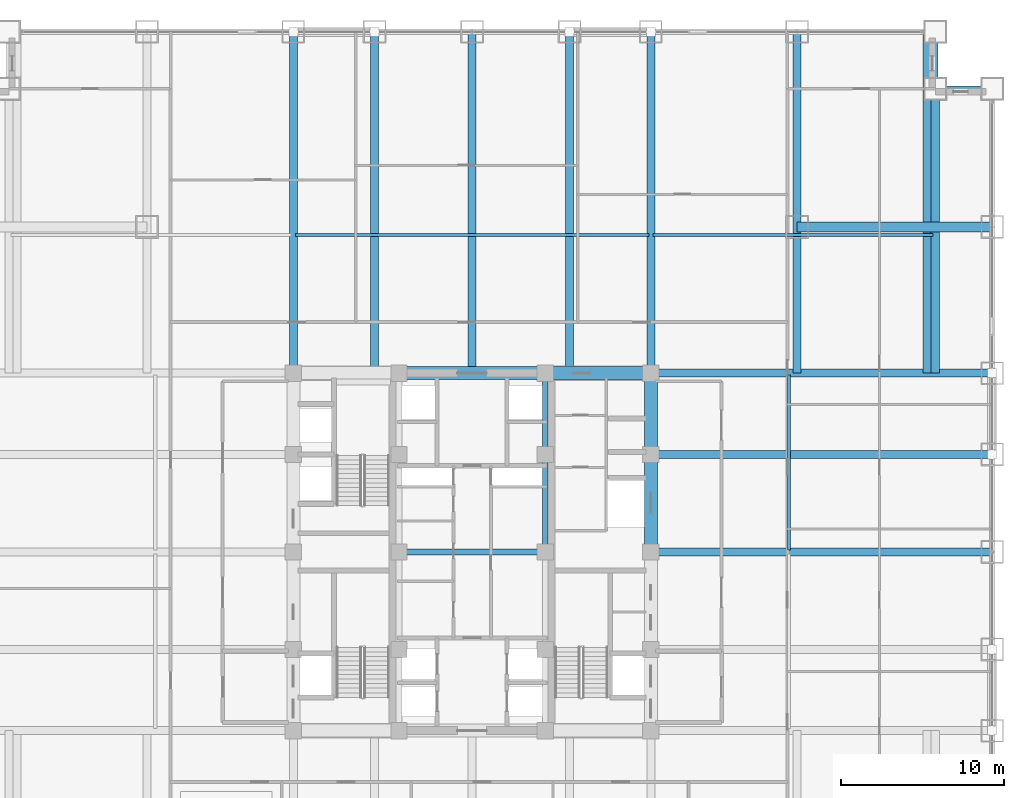
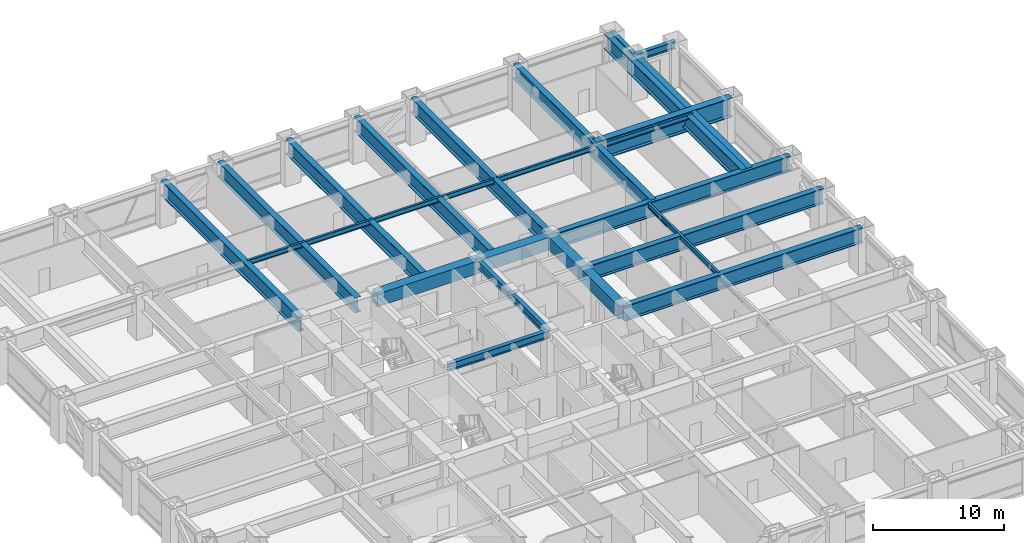
# One storey, part 11 of 29: 24 beams.
"""IFC4 building model written with IfcOpenShell, lengths in metres."""

import ifcopenshell
import ifcopenshell.guid

model = None  # the IFC model being written
_history = None  # IfcOwnerHistory: only IFC2X3 demands one
_inside = {}  # id of a spatial element -> (the spatial element, [elements in it])
_under = {}  # id of a project, library or spatial element -> (it, [spatial elements below it])
_declared = {}  # id of a project -> (the project, [libraries it declares])
_typed = {}  # id of a type object -> (the type object, [elements of that type])
_made_of = {}  # id of a material, layer set ... -> (it, [elements and type objects made of it])


def new_model(schema):
    """Start an empty IFC model of exactly this schema.

    Asked for "IFC4X3", IfcOpenShell would pick the latest addendum, in which some entities
    have other attributes; the version numbers below select the first issue.
    IFC2X3 requires an IfcOwnerHistory on every rooted entity: one is made here for all.
    """
    global model, _history
    if schema == "IFC4X3":
        model = ifcopenshell.file(schema_version=(4, 3, 0, 0))
    else:
        model = ifcopenshell.file(schema=schema)
    _inside.clear()
    _under.clear()
    _declared.clear()
    _typed.clear()
    _made_of.clear()
    _history = None
    if model.schema == "IFC2X3":
        org = make("IfcOrganization", Name="unknown")
        user = make(
            "IfcPersonAndOrganization",
            ThePerson=make("IfcPerson", FamilyName="unknown"),
            TheOrganization=org,
        )
        app = make(
            "IfcApplication",
            ApplicationDeveloper=org,
            Version="unknown",
            ApplicationFullName="unknown",
            ApplicationIdentifier="unknown",
        )
        _history = make(
            "IfcOwnerHistory",
            OwningUser=user,
            OwningApplication=app,
            ChangeAction="ADDED",
            CreationDate=0,
        )
    return model


def make(cls, **values):
    """One entity of the class cls with the attributes given. An attribute that is None is left unset."""
    return model.create_entity(
        cls, **{name: value for name, value in values.items() if value is not None}
    )


def rooted(cls, **values):
    """An entity with a GlobalId (a new one), such as an element, a storey or a relation."""
    return make(cls, GlobalId=ifcopenshell.guid.new(), OwnerHistory=_history, **values)


def si_unit(unit_type, name, prefix=None):
    """IfcSIUnit, for example si_unit("LENGTHUNIT", "METRE", prefix="MILLI")."""
    return make("IfcSIUnit", UnitType=unit_type, Prefix=prefix, Name=name)


def assignment(units):
    """IfcUnitAssignment: the units of a project."""
    return None if units is None else make("IfcUnitAssignment", Units=units)


def point(xyz):
    """IfcCartesianPoint."""
    return None if xyz is None else make("IfcCartesianPoint", Coordinates=xyz)


def direction(xyz):
    """IfcDirection."""
    return None if xyz is None else make("IfcDirection", DirectionRatios=xyz)


def frame(location, z_axis=None, x_axis=None):
    """IfcAxis2Placement3D, a coordinate frame: its origin and axes. An axis left out is left unset."""
    return make(
        "IfcAxis2Placement3D",
        Location=point(location),
        Axis=direction(z_axis),
        RefDirection=direction(x_axis),
    )


def frame_2d(location, x_axis=None):
    """IfcAxis2Placement2D, a coordinate frame in the plane: its origin and x axis."""
    return make(
        "IfcAxis2Placement2D", Location=point(location), RefDirection=direction(x_axis)
    )


def origin():
    """The frame at (0, 0, 0) with its axes left unset."""
    return frame((0.0, 0.0, 0.0))


def origin_2d():
    """The frame at (0, 0) in the plane with its x axis left unset."""
    return frame_2d((0.0, 0.0))


def place(relative_to, where):
    """IfcLocalPlacement: puts the frame where relative to a parent placement (None: the world)."""
    return make(
        "IfcLocalPlacement", PlacementRelTo=relative_to, RelativePlacement=where
    )


def context(
    kind, dimensions, precision=None, world=None, true_north=None, identifier=None
):
    """IfcGeometricRepresentationContext, for example the 3D "Model" context."""
    return make(
        "IfcGeometricRepresentationContext",
        ContextIdentifier=identifier,
        ContextType=kind,
        CoordinateSpaceDimension=dimensions,
        Precision=precision,
        WorldCoordinateSystem=world,
        TrueNorth=true_north,
    )


def subcontext(parent, identifier, kind, view, scale=None):
    """IfcGeometricRepresentationSubContext, for example "Body" below "Model"."""
    return make(
        "IfcGeometricRepresentationSubContext",
        ContextIdentifier=identifier,
        ContextType=kind,
        ParentContext=parent,
        TargetScale=scale,
        TargetView=view,
    )


def project(units=None, contexts=None):
    """IfcProject with its units and contexts."""
    return rooted(
        "IfcProject",
        Name="project",
        RepresentationContexts=contexts,
        UnitsInContext=assignment(units),
    )


def spatial(cls, under=None, at=None, **own):
    """A site, building, storey or space (cls), placed at a placement, below another one or the project."""
    s = rooted(cls, ObjectPlacement=at, **own)
    if under is not None:
        _under.setdefault(under.id(), (under, []))[1].append(s)
    return s


def profile(cls, at=None, kind="AREA", **sizes):
    """A parametric profile (cls). Its sizes go by their IFC names, for example OverallWidth=200.0."""
    return make(cls, ProfileType=kind, Position=at, **sizes)


def rectangle(**sizes):
    """IfcRectangleProfileDef."""
    return profile("IfcRectangleProfileDef", **sizes)


def i_section(**sizes):
    """IfcIShapeProfileDef."""
    return profile("IfcIShapeProfileDef", **sizes)


def extrude(swept, where, along, depth):
    """IfcExtrudedAreaSolid: the profile swept, set in the frame where, extruded along a direction by depth."""
    return make(
        "IfcExtrudedAreaSolid",
        SweptArea=swept,
        Position=where,
        ExtrudedDirection=direction(along),
        Depth=depth,
    )


def shape(context_of_items, identifier, shape_type, items):
    """IfcShapeRepresentation: the items that make up one representation, for example the "Body"."""
    return make(
        "IfcShapeRepresentation",
        ContextOfItems=context_of_items,
        RepresentationIdentifier=identifier,
        RepresentationType=shape_type,
        Items=items,
    )


def source(mapping_origin, context_of_items, identifier, shape_type, items):
    """IfcRepresentationMap: a shape defined once, which mapped items show again and again."""
    return make(
        "IfcRepresentationMap",
        MappingOrigin=mapping_origin,
        MappedRepresentation=shape(context_of_items, identifier, shape_type, items),
    )


def transform(
    local_origin,
    x_axis=None,
    y_axis=None,
    z_axis=None,
    scale=None,
    scale2=None,
    scale3=None,
    uniform=True,
):
    """IfcCartesianTransformationOperator3D, or its non-uniform kind. x_axis, y_axis, z_axis: its Axis1, 2, 3."""
    if uniform:
        return make(
            "IfcCartesianTransformationOperator3D",
            Axis1=direction(x_axis),
            Axis2=direction(y_axis),
            LocalOrigin=point(local_origin),
            Scale=scale,
            Axis3=direction(z_axis),
        )
    return make(
        "IfcCartesianTransformationOperator3DnonUniform",
        Axis1=direction(x_axis),
        Axis2=direction(y_axis),
        LocalOrigin=point(local_origin),
        Scale=scale,
        Axis3=direction(z_axis),
        Scale2=scale2,
        Scale3=scale3,
    )


def mapped(mapping_source, mapping_target):
    """IfcMappedItem: shows the shape of a source again, moved by a transform."""
    return make(
        "IfcMappedItem", MappingSource=mapping_source, MappingTarget=mapping_target
    )


def material(Name=None, Category=None):
    """IfcMaterial."""
    return make("IfcMaterial", Name=Name, Category=Category)


def material_profile(
    of_material, cross_section, Name=None, Category=None, Priority=None
):
    """IfcMaterialProfile: a cross section and its material."""
    return make(
        "IfcMaterialProfile",
        Name=Name,
        Material=of_material,
        Profile=cross_section,
        Priority=Priority,
        Category=Category,
    )


def profile_set(profiles, Name=None, composite=None):
    """IfcMaterialProfileSet."""
    return make(
        "IfcMaterialProfileSet",
        Name=Name,
        MaterialProfiles=profiles,
        CompositeProfile=composite,
    )


def made_of(thing, what):
    """Note that an element or type object is made of a material, layer set ...; save() writes the relation."""
    if what is not None:
        _made_of.setdefault(what.id(), (what, []))[1].append(thing)
    return thing


def type_object(cls, material=None, **own):
    """A type object (cls), such as IfcWallType, which elements share."""
    return made_of(rooted(cls, **own), material)


def element(
    cls,
    number,
    at=None,
    inside=None,
    cuts=None,
    type_object=None,
    material=None,
    context=None,
    identifier="Body",
    shape_type=None,
    held_by="IfcProductDefinitionShape",
    body=None,
    shapes=None,
    **own,
):
    """One element of the class cls, such as IfcWall. Its Tag is "e" and its number.

    at: its placement. inside: the storey or other place that contains it. cuts: it is an
    opening in that element (IfcRelVoidsElement). A single representation is given by context,
    identifier, shape_type and body (its items); several are given by shapes. held_by: the class
    of the entity that holds the representations. save() writes the other relations.
    """
    e = rooted(cls, Tag="e%d" % number, ObjectPlacement=at, **own)
    if body is not None:
        shapes = [shape(context, identifier, shape_type, body)]
    if shapes is not None:
        e.Representation = make(held_by, Representations=shapes)
    if inside is not None:
        _inside.setdefault(inside.id(), (inside, []))[1].append(e)
    if cuts is not None:
        rooted(
            "IfcRelVoidsElement", RelatingBuildingElement=cuts, RelatedOpeningElement=e
        )
    if type_object is not None:
        _typed.setdefault(type_object.id(), (type_object, []))[1].append(e)
    return made_of(e, material)


def aggregate(whole, parts):
    """IfcRelAggregates: a whole, such as a stair, and the parts it consists of."""
    return rooted("IfcRelAggregates", RelatingObject=whole, RelatedObjects=parts)


def save(model, path):
    """Write the relations noted so far, then the file.

    IfcRelAggregates (storeys below a building ...), IfcRelContainedInSpatialStructure (elements
    in a storey), IfcRelDefinesByType, IfcRelAssociatesMaterial and IfcRelDeclares: one each for
    every whole, place, type object, material and project.
    """
    for whole, parts in _under.values():
        aggregate(whole, parts)
    for where, things in _inside.values():
        rooted(
            "IfcRelContainedInSpatialStructure",
            RelatedElements=things,
            RelatingStructure=where,
        )
    for kind, things in _typed.values():
        rooted("IfcRelDefinesByType", RelatedObjects=things, RelatingType=kind)
    for what, things in _made_of.values():
        rooted("IfcRelAssociatesMaterial", RelatedObjects=things, RelatingMaterial=what)
    for by, libraries in _declared.values():
        rooted("IfcRelDeclares", RelatingContext=by, RelatedDefinitions=libraries)
    model.write(path)


model = new_model("IFC4")

# Units and contexts
model_context = context("Model", 3, precision=1e-05, world=origin(), true_north=direction((0.0, 1.0)))
body_context = subcontext(model_context, "Body", "Model", "MODEL_VIEW")
ifc_project = project(units=[si_unit("LENGTHUNIT", "METRE"), si_unit("AREAUNIT", "SQUARE_METRE"), si_unit("VOLUMEUNIT", "CUBIC_METRE"), si_unit("PLANEANGLEUNIT", "RADIAN"), si_unit("MASSUNIT", "GRAM", prefix="KILO")], contexts=[model_context])

# Site, building, storey
site_placement = place(None, origin())
site = spatial("IfcSite", under=ifc_project, at=site_placement, CompositionType="ELEMENT")
building_placement = place(site_placement, origin())
building = spatial("IfcBuilding", under=site, at=building_placement, Name="Khorayat Bourse Tower", CompositionType="ELEMENT")
storey_placement = place(building_placement, frame((0.0, 0.0, 87.199951171875)))
storey = spatial("IfcBuildingStorey", under=building, at=storey_placement, Name="L19", CompositionType="ELEMENT", Elevation=87.199951171875)

# Beams
ifc_material_1 = material(Name="Concrete C72/90", Category="concrete")
ifc_material_profile_1 = material_profile(ifc_material_1, rectangle(XDim=0.800048828125, YDim=1.199951171875, at=origin_2d()), Name="RC 800x1200")
ifc_profile_set_1 = profile_set([ifc_material_profile_1], Name="Concrete C72/90")
beam_type_1 = type_object("IfcBeamType", Name="BM-COUP-1200", PredefinedType="BEAM", material=ifc_profile_set_1)
shared_shape_1 = source(origin(), body_context, "Body", "SweptSolid", [
    extrude(rectangle(XDim=0.800048828125, YDim=1.199951171875, at=origin_2d()), origin(), (0.0, 0.0, 1.0), 5.0),
])
beam_1_placement = place(storey_placement, frame((11.0, 6.0, 3.340087890625), z_axis=(0.0, 1.0, 0.0), x_axis=(-1.0, 0.0, 0.0)))
element("IfcBeam", 1, at=beam_1_placement, inside=storey, type_object=beam_type_1, Name="L19 BM-COUP-1200 BM-L19-CRX-16", PredefinedType="BEAM", context=body_context, shape_type="MappedRepresentation", body=[
    mapped(shared_shape_1, transform((0.0, 0.0, 0.0), scale=1.0)),
])
shared_shape_2 = source(origin(), body_context, "Body", "SweptSolid", [
    extrude(rectangle(XDim=0.800048828125, YDim=1.199951171875, at=origin_2d()), origin(), (0.0, 0.0, 1.0), 6.0),
])
beam_2_placement = place(storey_placement, frame((11.0, 0.0, 3.340087890625), z_axis=(0.0, 1.0, 0.0), x_axis=(-1.0, 0.0, 0.0)))
element("IfcBeam", 2, at=beam_2_placement, inside=storey, type_object=beam_type_1, Name="L19 BM-COUP-1200 BM-L19-CRX-15", PredefinedType="BEAM", context=body_context, shape_type="MappedRepresentation", body=[
    mapped(shared_shape_2, transform((0.0, 0.0, 0.0), scale=1.0)),
])
ifc_material_2 = material(Name="Steel ASTM A992 Grade 50", Category="steel")
ifc_material_profile_2 = material_profile(ifc_material_2, i_section(OverallWidth=0.35498046875, OverallDepth=0.695068359375, WebThickness=0.015380859375, FlangeThickness=0.02490234375, FilletRadius=0.01806640625, at=origin_2d()), Name="W690X217")
ifc_profile_set_2 = profile_set([ifc_material_profile_2], Name="Steel ASTM A992 Grade 50")
beam_type_2 = type_object("IfcBeamType", Name="BM-GIRD-690", PredefinedType="BEAM", material=ifc_profile_set_2)
shared_shape_3 = source(origin(), body_context, "Body", "SweptSolid", [
    extrude(i_section(OverallWidth=0.35498046875, OverallDepth=0.695068359375, WebThickness=0.015380859375, FlangeThickness=0.02490234375, FilletRadius=0.01806640625, at=origin_2d()), origin(), (0.0, 0.0, 1.0), 5.0),
])
beam_3_placement = place(storey_placement, frame((4.5, 6.0, 3.592529296875), z_axis=(0.0, 1.0, 0.0), x_axis=(-1.0, 0.0, 0.0)))
element("IfcBeam", 3, at=beam_3_placement, inside=storey, type_object=beam_type_2, Name="L19 BM-GIRD-690 BM-L19-CRX-12", PredefinedType="BEAM", context=body_context, shape_type="MappedRepresentation", body=[
    mapped(shared_shape_3, transform((0.0, 0.0, 0.0), scale=1.0)),
])
shared_shape_4 = source(origin(), body_context, "Body", "SweptSolid", [
    extrude(i_section(OverallWidth=0.35498046875, OverallDepth=0.695068359375, WebThickness=0.015380859375, FlangeThickness=0.02490234375, FilletRadius=0.01806640625, at=origin_2d()), origin(), (0.0, 0.0, 1.0), 6.0),
])
beam_4_placement = place(storey_placement, frame((4.5, 0.0, 3.592529296875), z_axis=(0.0, 1.0, 0.0), x_axis=(-1.0, 0.0, 0.0)))
element("IfcBeam", 4, at=beam_4_placement, inside=storey, type_object=beam_type_2, Name="L19 BM-GIRD-690 BM-L19-CRX-11", PredefinedType="BEAM", context=body_context, shape_type="MappedRepresentation", body=[
    mapped(shared_shape_4, transform((0.0, 0.0, 0.0), scale=1.0)),
])
shared_shape_5 = source(origin(), body_context, "Body", "SweptSolid", [
    extrude(rectangle(XDim=0.800048828125, YDim=1.199951171875, at=origin_2d()), origin(), (0.0, 0.0, 1.0), 6.5),
])
beam_5_placement = place(storey_placement, frame((4.5, 11.0, 3.340087890625), z_axis=(1.0, 0.0, 0.0), x_axis=(0.0, 1.0, 0.0)))
element("IfcBeam", 5, at=beam_5_placement, inside=storey, type_object=beam_type_1, Name="L19 BM-COUP-1200 BM-L19-CRY-22", PredefinedType="BEAM", context=body_context, shape_type="MappedRepresentation", body=[
    mapped(shared_shape_5, transform((0.0, 0.0, 0.0), scale=1.0)),
])
shared_shape_6 = source(origin(), body_context, "Body", "SweptSolid", [
    extrude(rectangle(XDim=0.800048828125, YDim=1.199951171875, at=origin_2d()), origin(), (0.0, 0.0, 1.0), 9.0),
])
beam_6_placement = place(storey_placement, frame((-4.5, 11.0, 3.340087890625), z_axis=(1.0, 0.0, 0.0), x_axis=(0.0, 1.0, 0.0)))
element("IfcBeam", 6, at=beam_6_placement, inside=storey, type_object=beam_type_1, Name="L19 BM-COUP-1200 BM-L19-CRY-21", PredefinedType="BEAM", context=body_context, shape_type="MappedRepresentation", body=[
    mapped(shared_shape_6, transform((0.0, 0.0, 0.0), scale=1.0)),
])
shared_shape_7 = source(origin(), body_context, "Body", "SweptSolid", [
    extrude(i_section(OverallWidth=0.35498046875, OverallDepth=0.695068359375, WebThickness=0.015380859375, FlangeThickness=0.02490234375, FilletRadius=0.01806640625, at=origin_2d()), origin(), (0.0, 0.0, 1.0), 9.0),
])
beam_7_placement = place(storey_placement, frame((-4.5, 0.0, 3.592529296875), z_axis=(1.0, 0.0, 0.0), x_axis=(0.0, 1.0, 0.0)))
element("IfcBeam", 7, at=beam_7_placement, inside=storey, type_object=beam_type_2, Name="L19 BM-GIRD-690 BM-L19-CRY-23", PredefinedType="BEAM", context=body_context, shape_type="MappedRepresentation", body=[
    mapped(shared_shape_7, transform((0.0, 0.0, 0.0), scale=1.0)),
])
ifc_material_3 = material(Name="Steel EN 10025-4 S460M", Category="steel")
ifc_material_profile_3 = material_profile(ifc_material_3, i_section(OverallWidth=0.60009765625, OverallDepth=1.800048828125, WebThickness=0.031982421875, FlangeThickness=0.06005859375, at=origin_2d()), Name="PG 1800x600x32x60")
ifc_profile_set_3 = profile_set([ifc_material_profile_3], Name="Steel EN 10025-4 S460M")
beam_type_3 = type_object("IfcBeamType", Name="BM-TR-1800", PredefinedType="BEAM", material=ifc_profile_set_3)
shared_shape_8 = source(origin(), body_context, "Body", "SweptSolid", [
    extrude(i_section(OverallWidth=0.60009765625, OverallDepth=1.800048828125, WebThickness=0.031982421875, FlangeThickness=0.06005859375, at=origin_2d()), origin(), (0.0, 0.0, 1.0), 12.0),
])
beam_8_placement = place(storey_placement, frame((20.0, 20.0, 3.0400390625), z_axis=(1.0, 0.0, 0.0), x_axis=(0.0, 1.0, 0.0)))
element("IfcBeam", 8, at=beam_8_placement, inside=storey, type_object=beam_type_3, Name="L19 BM-TR-1800 BM-L19-CNRX-098", PredefinedType="BEAM", context=body_context, shape_type="MappedRepresentation", body=[
    mapped(shared_shape_8, transform((0.0, 0.0, 0.0), scale=1.0)),
])
ifc_material_profile_4 = material_profile(ifc_material_2, i_section(OverallWidth=0.35498046875, OverallDepth=0.695068359375, WebThickness=0.015380859375, FlangeThickness=0.02490234375, FilletRadius=0.01806640625, at=origin_2d()), Name="W690X217")
ifc_profile_set_4 = profile_set([ifc_material_profile_4], Name="Steel ASTM A992 Grade 50")
beam_type_4 = type_object("IfcBeamType", Name="BM-SPAN-690", PredefinedType="SPANDREL", material=ifc_profile_set_4)
shared_shape_9 = source(origin(), body_context, "Body", "SweptSolid", [
    extrude(i_section(OverallWidth=0.35498046875, OverallDepth=0.695068359375, WebThickness=0.015380859375, FlangeThickness=0.02490234375, FilletRadius=0.01806640625, at=origin_2d()), origin(), (0.0, 0.0, 1.0), 3.5),
])
for number, where, z_axis, x_axis, name in (
    (9, (28.5, 28.5, 3.592529296875), (1.0, 0.0, 0.0), (0.0, 1.0, 0.0), "L19 BM-SPAN-690 BM-L19-SPN-042"),
    (10, (28.5, 28.5, 3.592529296875), (0.0, 1.0, 0.0), (-1.0, 0.0, 0.0), "L19 BM-SPAN-690 BM-L19-SPN-043"),
):
    element("IfcBeam", number, at=place(storey_placement, frame(where, z_axis=z_axis, x_axis=x_axis)), inside=storey, type_object=beam_type_4, Name=name, PredefinedType="SPANDREL", context=body_context, shape_type="MappedRepresentation", body=[
        mapped(shared_shape_9, transform((0.0, 0.0, 0.0), scale=1.0)),
    ])
ifc_material_profile_5 = material_profile(ifc_material_2, i_section(OverallWidth=0.194091796875, OverallDepth=0.468994140625, WebThickness=0.0126953125, FlangeThickness=0.0205078125, FilletRadius=0.012939453125, at=origin_2d()), Name="W460X106")
ifc_profile_set_5 = profile_set([ifc_material_profile_5], Name="Steel ASTM A992 Grade 50")
beam_type_5 = type_object("IfcBeamType", Name="BM-JOIST-460", PredefinedType="JOIST", material=ifc_profile_set_5)
shared_shape_10 = source(origin(), body_context, "Body", "SweptSolid", [
    extrude(i_section(OverallWidth=0.194091796875, OverallDepth=0.468994140625, WebThickness=0.0126953125, FlangeThickness=0.0205078125, FilletRadius=0.012939453125, at=origin_2d()), origin(), (0.0, 0.0, 1.0), 17.240234375),
])
beam_9_placement = place(storey_placement, frame((11.1298828125, 19.5, 3.70556640625), z_axis=(1.0, 0.0, 0.0), x_axis=(0.0, 1.0, 0.0)))
element("IfcBeam", 11, at=beam_9_placement, inside=storey, type_object=beam_type_5, Name="L19 BM-JOIST-460 BM-L19-JSTX-109", PredefinedType="JOIST", context=body_context, shape_type="MappedRepresentation", body=[
    mapped(shared_shape_10, transform((0.0, 0.0, 0.0), scale=1.0)),
])
shared_shape_11 = source(origin(), body_context, "Body", "SweptSolid", [
    extrude(i_section(OverallWidth=0.194091796875, OverallDepth=0.468994140625, WebThickness=0.0126953125, FlangeThickness=0.0205078125, FilletRadius=0.012939453125, at=origin_2d()), origin(), (0.0, 0.0, 1.0), 21.740234375),
])
beam_10_placement = place(storey_placement, frame((-10.8701171875, 19.5, 3.70556640625), z_axis=(1.0, 0.0, 0.0), x_axis=(0.0, 1.0, 0.0)))
element("IfcBeam", 12, at=beam_10_placement, inside=storey, type_object=beam_type_5, Name="L19 BM-JOIST-460 BM-L19-JSTX-108", PredefinedType="JOIST", context=body_context, shape_type="MappedRepresentation", body=[
    mapped(shared_shape_11, transform((0.0, 0.0, 0.0), scale=1.0)),
])
shared_shape_12 = source(origin(), body_context, "Body", "SweptSolid", [
    extrude(i_section(OverallWidth=0.194091796875, OverallDepth=0.468994140625, WebThickness=0.0126953125, FlangeThickness=0.0205078125, FilletRadius=0.012939453125, at=origin_2d()), origin(), (0.0, 0.0, 1.0), 10.740234375),
])
beam_11_placement = place(storey_placement, frame((19.5, 0.1298828125, 3.70556640625), z_axis=(0.0, 1.0, 0.0), x_axis=(-1.0, 0.0, 0.0)))
element("IfcBeam", 13, at=beam_11_placement, inside=storey, type_object=beam_type_5, Name="L19 BM-JOIST-460 BM-L19-JSTY-113", PredefinedType="JOIST", context=body_context, shape_type="MappedRepresentation", body=[
    mapped(shared_shape_12, transform((0.0, 0.0, 0.0), scale=1.0)),
])
ifc_material_profile_6 = material_profile(ifc_material_3, i_section(OverallWidth=0.5, OverallDepth=1.39990234375, WebThickness=0.02490234375, FlangeThickness=0.050048828125, at=origin_2d()), Name="PG 1400x500x25x50")
ifc_profile_set_6 = profile_set([ifc_material_profile_6], Name="Steel EN 10025-4 S460M")
beam_type_6 = type_object("IfcBeamType", Name="BM-TR-1400", PredefinedType="BEAM", material=ifc_profile_set_6)
shared_shape_13 = source(origin(), body_context, "Body", "SweptSolid", [
    extrude(i_section(OverallWidth=0.5, OverallDepth=1.39990234375, WebThickness=0.02490234375, FlangeThickness=0.050048828125, at=origin_2d()), origin(), (0.0, 0.0, 1.0), 21.0),
])
for number, where, z_axis, x_axis, name in (
    (14, (-11.0, 11.0, 3.239990234375), (0.0, 1.0, 0.0), (-1.0, 0.0, 0.0), "L19 BM-TR-1400 BM-L19-RADY-064"),
    (15, (-6.0, 11.0, 3.239990234375), (0.0, 1.0, 0.0), (-1.0, 0.0, 0.0), "L19 BM-TR-1400 BM-L19-RADY-066"),
    (16, (0.0, 11.0, 3.239990234375), (0.0, 1.0, 0.0), (-1.0, 0.0, 0.0), "L19 BM-TR-1400 BM-L19-RADY-068"),
    (17, (6.0, 11.0, 3.239990234375), (0.0, 1.0, 0.0), (-1.0, 0.0, 0.0), "L19 BM-TR-1400 BM-L19-RADY-070"),
    (18, (11.0, 11.0, 3.239990234375), (0.0, 1.0, 0.0), (-1.0, 0.0, 0.0), "L19 BM-TR-1400 BM-L19-RADY-072"),
    (19, (11.0, 0.0, 3.239990234375), (1.0, 0.0, 0.0), (0.0, 1.0, 0.0), "L19 BM-TR-1400 BM-L19-RADX-078"),
    (20, (11.0, 6.0, 3.239990234375), (1.0, 0.0, 0.0), (0.0, 1.0, 0.0), "L19 BM-TR-1400 BM-L19-RADX-080"),
    (21, (11.0, 11.0, 3.239990234375), (1.0, 0.0, 0.0), (0.0, 1.0, 0.0), "L19 BM-TR-1400 BM-L19-RADX-082"),
    (22, (20.0, 11.0, 3.239990234375), (0.0, 1.0, 0.0), (-1.0, 0.0, 0.0), "L19 BM-TR-1400 BM-L19-CNRY-087"),
    (23, (28.0, 11.0, 3.239990234375), (0.0, 1.0, 0.0), (-1.0, 0.0, 0.0), "L19 BM-TR-1400 BM-L19-CNRY-091"),
):
    element("IfcBeam", number, at=place(storey_placement, frame(where, z_axis=z_axis, x_axis=x_axis)), inside=storey, type_object=beam_type_6, Name=name, PredefinedType="BEAM", context=body_context, shape_type="MappedRepresentation", body=[
        mapped(shared_shape_13, transform((0.0, 0.0, 0.0), scale=1.0)),
    ])
shared_shape_14 = source(origin(), body_context, "Body", "SweptSolid", [
    extrude(i_section(OverallWidth=0.5, OverallDepth=1.39990234375, WebThickness=0.02490234375, FlangeThickness=0.050048828125, at=origin_2d()), origin(), (0.0, 0.0, 1.0), 17.5),
])
beam_12_placement = place(storey_placement, frame((28.5, 11.0, 3.239990234375), z_axis=(0.0, 1.0, 0.0), x_axis=(-1.0, 0.0, 0.0)))
element("IfcBeam", 24, at=beam_12_placement, inside=storey, type_object=beam_type_6, Name="L19 BM-TR-1400 BM-L19-CNRY-095", PredefinedType="BEAM", context=body_context, shape_type="MappedRepresentation", body=[
    mapped(shared_shape_14, transform((0.0, 0.0, 0.0), scale=1.0)),
])

save(model, "model.ifc")
